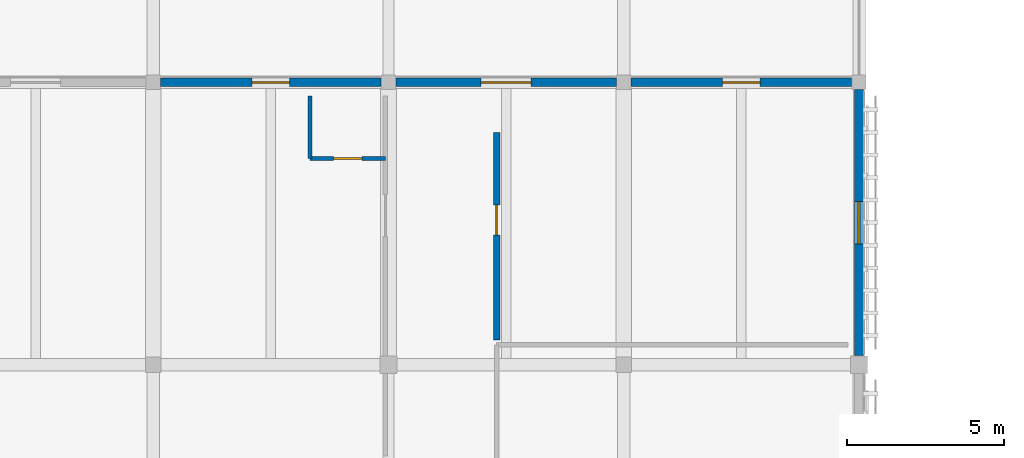
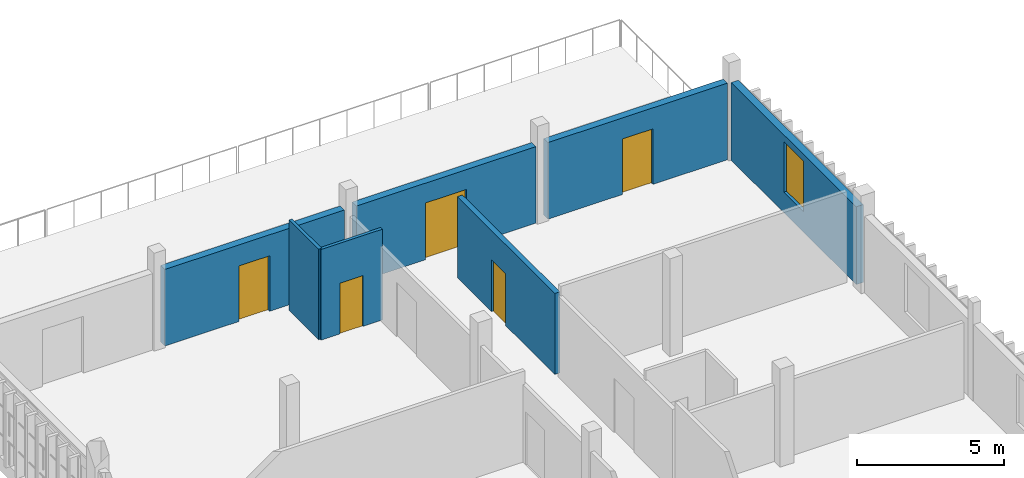
# One storey, part 8 of 17: 7 walls, 5 doors, 1 window, 6 openings.
"""IFC4 building model written with IfcOpenShell, lengths in metres."""

from ifc_helpers import new_model, si_unit, direction, frame, frame_2d, origin, place, context, subcontext, project, spatial, rectangle, extrude, material, layer, layer_set, type_object, element, fill, save


model = new_model("IFC4")

# Units and contexts
model_context = context("Model", 3, precision=1e-05, world=origin(), true_north=direction((0.0, 1.0)))
body_context = subcontext(model_context, "Body", "Model", "MODEL_VIEW")
ifc_project = project(units=[si_unit("LENGTHUNIT", "METRE"), si_unit("AREAUNIT", "SQUARE_METRE"), si_unit("VOLUMEUNIT", "CUBIC_METRE"), si_unit("PLANEANGLEUNIT", "RADIAN"), si_unit("MASSUNIT", "GRAM", prefix="KILO")], contexts=[model_context])

# Site, building, storey
site_placement = place(None, origin())
site = spatial("IfcSite", under=ifc_project, at=site_placement, CompositionType="ELEMENT")
building_placement = place(site_placement, origin())
building = spatial("IfcBuilding", under=site, at=building_placement, Name="Dalvernix Boulevard General Hospital", CompositionType="ELEMENT")
storey_placement = place(building_placement, frame((0.0, 0.0, 25.949951171875)))
storey = spatial("IfcBuildingStorey", under=building, at=storey_placement, Name="L06", CompositionType="ELEMENT", Elevation=25.949951171875)

# Wall, opening, door
ifc_material_1 = material(Name="Screened upper-ward insulated masonry cavity wall C35/45", Category="masonry")
ifc_layer_1 = layer(ifc_material_1, 0.280029296875)
ifc_layer_set_1 = layer_set([ifc_layer_1], Name="Screened upper-ward insulated masonry cavity wall C35/45 (WAL-EW-03)")
wall_type_1 = type_object("IfcWallType", Name="WAL-EW-03", PredefinedType="STANDARD", material=ifc_layer_set_1)
wall_1_placement = place(storey_placement, frame((7.735107421875, 85.5, 0.0), z_axis=(0.0, 0.0, 1.0), x_axis=(1.0, 0.0, 0.0)))
wall_1 = element("IfcWall", 1, at=wall_1_placement, inside=storey, type_object=wall_type_1, Name="L06 Catalan brick external wall N 1-11", PredefinedType="STANDARD", context=body_context, shape_type="SweptSolid", body=[
    extrude(rectangle(XDim=7.02978515625, YDim=0.280029296875, at=frame_2d((3.514892578125, 0.0))), origin(), (0.0, 0.0, 1.0), 3.170166015625),
])
opening_1_placement = place(wall_1_placement, frame((2.9150390625, 0.0, 0.0)))
opening_1 = element("IfcOpeningElement", 2, at=opening_1_placement, cuts=wall_1, Name="Opening TD-12", PredefinedType="OPENING", context=body_context, shape_type="SweptSolid", body=[
    extrude(rectangle(XDim=1.199951171875, YDim=2.300048828125, at=frame_2d((0.60009765625, 1.14990234375))), frame((0.0, 0.14990234375, 0.0), z_axis=(0.0, -1.0, 0.0), x_axis=(1.0, 0.0, 0.0)), (0.0, 0.0, 1.0), 0.300048828125),
])
ifc_material_2 = material(Name="Powder-coated aluminium and laminated safety glass", Category="aluminium")
door_type_1 = type_object("IfcDoorType", Name="DR-TD-12", OperationType="NOTDEFINED", PredefinedType="DOOR", material=ifc_material_2)
door_1_placement = place(opening_1_placement, origin())
door_1 = element("IfcDoor", 3, at=door_1_placement, inside=storey, type_object=door_type_1, Name="L06 ward terrace access door N 1-11", OperationType="SINGLE_SWING_RIGHT", OverallHeight=2.300048828125, OverallWidth=1.199951171875, PredefinedType="DOOR", context=body_context, shape_type="SweptSolid", body=[
    extrude(rectangle(XDim=1.199951171875, YDim=2.300048828125, at=frame_2d((0.60009765625, 1.14990234375))), frame((0.0, 0.02490234375, 0.0), z_axis=(0.0, -1.0, 0.0), x_axis=(1.0, 0.0, 0.0)), (0.0, 0.0, 1.0), 0.050048828125),
])
fill(opening_1, door_1)

wall_2_placement = place(storey_placement, frame((15.235107421875, 85.5, 0.0), z_axis=(0.0, 0.0, 1.0), x_axis=(1.0, 0.0, 0.0)))
wall_2 = element("IfcWall", 4, at=wall_2_placement, inside=storey, type_object=wall_type_1, Name="L06 Catalan brick external wall N 2-11", PredefinedType="STANDARD", context=body_context, shape_type="SweptSolid", body=[
    extrude(rectangle(XDim=7.02978515625, YDim=0.280029296875, at=frame_2d((3.514892578125, 0.0))), origin(), (0.0, 0.0, 1.0), 3.170166015625),
])
opening_2_placement = place(wall_2_placement, frame((2.715087890625, 0.0, 0.0)))
opening_2 = element("IfcOpeningElement", 5, at=opening_2_placement, cuts=wall_2, Name="Opening TD-16", PredefinedType="OPENING", context=body_context, shape_type="SweptSolid", body=[
    extrude(rectangle(XDim=1.60009765625, YDim=2.35009765625, at=frame_2d((0.800048828125, 1.175048828125))), frame((0.0, 0.14990234375, 0.0), z_axis=(0.0, -1.0, 0.0), x_axis=(1.0, 0.0, 0.0)), (0.0, 0.0, 1.0), 0.300048828125),
])
door_type_2 = type_object("IfcDoorType", Name="DR-TD-16", OperationType="DOUBLE_DOOR_SINGLE_SWING", PredefinedType="DOOR", material=ifc_material_2)
door_2_placement = place(opening_2_placement, origin())
door_2 = element("IfcDoor", 6, at=door_2_placement, inside=storey, type_object=door_type_2, Name="L06 ward terrace access door N 2-11", OperationType="DOUBLE_DOOR_SINGLE_SWING", OverallHeight=2.35009765625, OverallWidth=1.60009765625, PredefinedType="DOOR", context=body_context, shape_type="SweptSolid", body=[
    extrude(rectangle(XDim=1.60009765625, YDim=2.35009765625, at=frame_2d((0.800048828125, 1.175048828125))), frame((0.0, 0.02490234375, 0.0), z_axis=(0.0, -1.0, 0.0), x_axis=(1.0, 0.0, 0.0)), (0.0, 0.0, 1.0), 0.050048828125),
])
fill(opening_2, door_2)

wall_3_placement = place(storey_placement, frame((22.735107421875, 85.5, 0.0), z_axis=(0.0, 0.0, 1.0), x_axis=(1.0, 0.0, 0.0)))
wall_3 = element("IfcWall", 7, at=wall_3_placement, inside=storey, type_object=wall_type_1, Name="L06 Catalan brick external wall N 3-11", PredefinedType="STANDARD", context=body_context, shape_type="SweptSolid", body=[
    extrude(rectangle(XDim=7.02978515625, YDim=0.280029296875, at=frame_2d((3.514892578125, 0.0))), origin(), (0.0, 0.0, 1.0), 3.170166015625),
])
opening_3_placement = place(wall_3_placement, frame((2.9150390625, 0.0, 0.0)))
opening_3 = element("IfcOpeningElement", 8, at=opening_3_placement, cuts=wall_3, Name="Opening TD-12", PredefinedType="OPENING", context=body_context, shape_type="SweptSolid", body=[
    extrude(rectangle(XDim=1.199951171875, YDim=2.300048828125, at=frame_2d((0.60009765625, 1.14990234375))), frame((0.0, 0.14990234375, 0.0), z_axis=(0.0, -1.0, 0.0), x_axis=(1.0, 0.0, 0.0)), (0.0, 0.0, 1.0), 0.300048828125),
])
door_3_placement = place(opening_3_placement, origin())
door_3 = element("IfcDoor", 9, at=door_3_placement, inside=storey, type_object=door_type_1, Name="L06 ward terrace access door N 3-11", OperationType="SINGLE_SWING_RIGHT", OverallHeight=2.300048828125, OverallWidth=1.199951171875, PredefinedType="DOOR", context=body_context, shape_type="SweptSolid", body=[
    extrude(rectangle(XDim=1.199951171875, YDim=2.300048828125, at=frame_2d((0.60009765625, 1.14990234375))), frame((0.0, 0.02490234375, 0.0), z_axis=(0.0, -1.0, 0.0), x_axis=(1.0, 0.0, 0.0)), (0.0, 0.0, 1.0), 0.050048828125),
])
fill(opening_3, door_3)

# Wall, opening, window
wall_4_placement = place(storey_placement, frame((30.0, 85.264892578125, 0.0), z_axis=(0.0, 0.0, 1.0), x_axis=(0.0, -1.0, 0.0)))
wall_4 = element("IfcWall", 10, at=wall_4_placement, inside=storey, type_object=wall_type_1, Name="L06 Catalan brick external wall E 4-10", PredefinedType="STANDARD", context=body_context, shape_type="SweptSolid", body=[
    extrude(rectangle(XDim=8.47998046875, YDim=0.280029296875, at=frame_2d((4.239990234375, 0.0))), origin(), (0.0, 0.0, 1.0), 3.219970703125),
])
opening_4_placement = place(wall_4_placement, frame((3.56494140625, 0.0, 0.85009765625)))
opening_4 = element("IfcOpeningElement", 11, at=opening_4_placement, cuts=wall_4, Name="Opening WN-19", PredefinedType="OPENING", context=body_context, shape_type="SweptSolid", body=[
    extrude(rectangle(XDim=1.35009765625, YDim=2.090087890625, at=frame_2d((0.675048828125, 1.044921875))), frame((0.0, 0.14990234375, 0.0), z_axis=(0.0, -1.0, 0.0), x_axis=(1.0, 0.0, 0.0)), (0.0, 0.0, 1.0), 0.300048828125),
])
ifc_material_3 = material(Name="Thermally broken aluminium frame with solar-control double glazing", Category="aluminium")
window_type = type_object("IfcWindowType", Name="WIN-WN-19", PartitioningType="SINGLE_PANEL", PredefinedType="WINDOW", material=ifc_material_3)
window_placement = place(opening_4_placement, origin())
window = element("IfcWindow", 12, at=window_placement, inside=storey, type_object=window_type, Name="L06 clinical window WN-19 E 4-10", OverallHeight=2.090087890625, OverallWidth=1.35009765625, PartitioningType="SINGLE_PANEL", PredefinedType="WINDOW", context=body_context, shape_type="SweptSolid", body=[
    extrude(rectangle(XDim=1.35009765625, YDim=2.090087890625, at=frame_2d((0.675048828125, 1.044921875))), frame((0.0, 0.030029296875, 0.0), z_axis=(0.0, -1.0, 0.0), x_axis=(1.0, 0.0, 0.0)), (0.0, 0.0, 1.0), 0.06005859375),
])
fill(opening_4, window)

# Wall, opening, door
ifc_material_4 = material(Name="Fire-compartment corridor masonry wall", Category="masonry")
ifc_layer_2 = layer(ifc_material_4, 0.199951171875)
ifc_layer_set_2 = layer_set([ifc_layer_2], Name="Fire-compartment corridor masonry wall (WAL-IW-02)")
wall_type_2 = type_object("IfcWallType", Name="WAL-IW-02", PredefinedType="STANDARD", material=ifc_layer_set_2)
wall_5_placement = place(storey_placement, frame((18.449951171875, 83.89990234375, 0.0), z_axis=(0.0, 0.0, 1.0), x_axis=(0.0, -1.0, 0.0)))
wall_5 = element("IfcWall", 13, at=wall_5_placement, inside=storey, type_object=wall_type_2, Name="L06 Staff WC and Clean Utility L06 corridor wall", PredefinedType="STANDARD", context=body_context, shape_type="SweptSolid", body=[
    extrude(rectangle(XDim=6.60888671875, YDim=0.199951171875, at=frame_2d((3.304443359375, 0.0))), origin(), (0.0, 0.0, 1.0), 3.35498046875),
])
opening_5_placement = place(wall_5_placement, frame((2.313720703125, 0.0, 0.0)))
opening_5 = element("IfcOpeningElement", 14, at=opening_5_placement, cuts=wall_5, Name="Opening ID-06", PredefinedType="OPENING", context=body_context, shape_type="SweptSolid", body=[
    extrude(rectangle(XDim=0.949951171875, YDim=2.14990234375, at=frame_2d((0.47509765625, 1.074951171875))), frame((0.0, 0.10986328125, 0.0), z_axis=(0.0, -1.0, 0.0), x_axis=(1.0, 0.0, 0.0)), (0.0, 0.0, 1.0), 0.219970703125),
])
ifc_material_5 = material(Name="Hospital laminate acoustic timber and steel frame", Category="steel")
door_type_3 = type_object("IfcDoorType", Name="DR-ID-06", OperationType="NOTDEFINED", PredefinedType="DOOR", material=ifc_material_5)
door_4_placement = place(opening_5_placement, origin())
door_4 = element("IfcDoor", 15, at=door_4_placement, inside=storey, type_object=door_type_3, Name="L06 Staff WC and Clean Utility L06 door", OperationType="SINGLE_SWING_LEFT", OverallHeight=2.14990234375, OverallWidth=0.949951171875, PredefinedType="DOOR", context=body_context, shape_type="SweptSolid", body=[
    extrude(rectangle(XDim=0.949951171875, YDim=2.14990234375, at=frame_2d((0.47509765625, 1.074951171875))), frame((0.0, 0.02490234375, 0.0), z_axis=(0.0, -1.0, 0.0), x_axis=(1.0, 0.0, 0.0)), (0.0, 0.0, 1.0), 0.050048828125),
])
fill(opening_5, door_4)

ifc_material_6 = material(Name="Moisture-resistant en-suite bathroom partition")
ifc_layer_3 = layer(ifc_material_6, 0.1201171875)
ifc_layer_set_3 = layer_set([ifc_layer_3], Name="Moisture-resistant en-suite bathroom partition (WAL-IW-05)")
wall_type_3 = type_object("IfcWallType", Name="WAL-IW-05", PredefinedType="PARTITIONING", material=ifc_layer_set_3)
wall_6_placement = place(storey_placement, frame((12.5, 83.070068359375, 0.0), z_axis=(0.0, 0.0, 1.0), x_axis=(1.0, 0.0, 0.0)))
wall_6 = element("IfcWall", 16, at=wall_6_placement, inside=storey, type_object=wall_type_3, Name="L06 en-suite bathroom door wall", PredefinedType="PARTITIONING", context=body_context, shape_type="SweptSolid", body=[
    extrude(rectangle(XDim=2.39990234375, YDim=0.1201171875, at=frame_2d((1.199951171875, 0.0))), origin(), (0.0, 0.0, 1.0), 3.755126953125),
])
opening_6_placement = place(wall_6_placement, frame((0.75, 0.0, 0.0)))
opening_6 = element("IfcOpeningElement", 17, at=opening_6_placement, cuts=wall_6, Name="Opening ID-05", PredefinedType="OPENING", context=body_context, shape_type="SweptSolid", body=[
    extrude(rectangle(XDim=0.89990234375, YDim=2.10009765625, at=frame_2d((0.449951171875, 1.050048828125))), frame((0.0, 0.070068359375, 0.0), z_axis=(0.0, -1.0, 0.0), x_axis=(1.0, 0.0, 0.0)), (0.0, 0.0, 1.0), 0.14013671875),
])
door_type_4 = type_object("IfcDoorType", Name="DR-ID-05", OperationType="NOTDEFINED", PredefinedType="DOOR", material=ifc_material_5)
door_5_placement = place(opening_6_placement, origin())
door_5 = element("IfcDoor", 18, at=door_5_placement, inside=storey, type_object=door_type_4, Name="L06 L06-WRD-W06 en-suite bathroom door", OperationType="SINGLE_SWING_LEFT", OverallHeight=2.10009765625, OverallWidth=0.89990234375, PredefinedType="DOOR", context=body_context, shape_type="SweptSolid", body=[
    extrude(rectangle(XDim=0.89990234375, YDim=2.10009765625, at=frame_2d((0.449951171875, 1.050048828125))), frame((0.0, 0.02490234375, 0.0), z_axis=(0.0, -1.0, 0.0), x_axis=(1.0, 0.0, 0.0)), (0.0, 0.0, 1.0), 0.050048828125),
])
fill(opening_6, door_5)

# Wall
wall_7_placement = place(storey_placement, frame((12.5, 83.070068359375, 0.0), z_axis=(0.0, 0.0, 1.0), x_axis=(0.0, 1.0, 0.0)))
element("IfcWall", 19, at=wall_7_placement, inside=storey, type_object=wall_type_3, Name="L06 en-suite bathroom side wall", PredefinedType="PARTITIONING", context=body_context, shape_type="SweptSolid", body=[
    extrude(rectangle(XDim=2.0, YDim=0.1201171875, at=frame_2d((1.0, 0.0))), origin(), (0.0, 0.0, 1.0), 3.755126953125),
])

save(model, "model.ifc")
